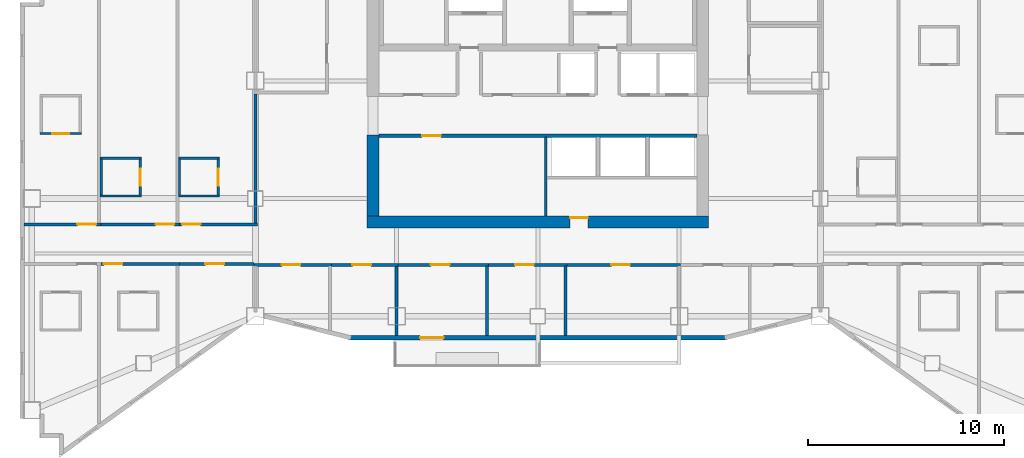
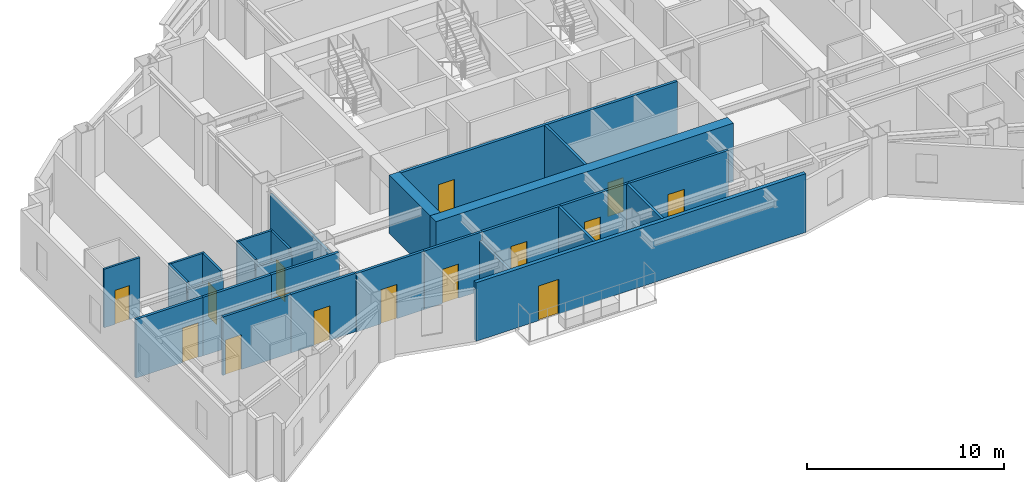
# One storey, part 5 of 12: 28 walls, 16 doors, 16 openings.
"""IFC4 building model written with IfcOpenShell, lengths in metres."""

from ifc_helpers import new_model, si_unit, direction, frame, frame_2d, origin, place, context, subcontext, project, spatial, rectangle, extrude, material, layer, layer_set, type_object, element, fill, save


model = new_model("IFC4")

# Units and contexts
model_context = context("Model", 3, precision=1e-05, world=origin(), true_north=direction((0.0, 1.0)))
body_context = subcontext(model_context, "Body", "Model", "MODEL_VIEW")
ifc_project = project(units=[si_unit("LENGTHUNIT", "METRE"), si_unit("AREAUNIT", "SQUARE_METRE"), si_unit("VOLUMEUNIT", "CUBIC_METRE"), si_unit("PLANEANGLEUNIT", "RADIAN"), si_unit("MASSUNIT", "GRAM", prefix="KILO")], contexts=[model_context])

# Site, building, storey
site_placement = place(None, origin())
site = spatial("IfcSite", under=ifc_project, at=site_placement, CompositionType="ELEMENT")
building_placement = place(site_placement, origin())
building = spatial("IfcBuilding", under=site, at=building_placement, Name="Haolan Belvedere Tower", CompositionType="ELEMENT")
storey_placement = place(building_placement, frame((0.0, 0.0, 195.60009765625)))
storey = spatial("IfcBuildingStorey", under=building, at=storey_placement, Name="L49", CompositionType="ELEMENT", Elevation=195.60009765625)

# Wall, opening, door
ifc_material_1 = material(Name="Concrete C60/75", Category="concrete")
ifc_layer_1 = layer(ifc_material_1, 0.60009765625, Name="Concrete C60/75")
ifc_layer_set_1 = layer_set([ifc_layer_1], Name="Concrete C60/75")
wall_type_1 = type_object("IfcWallType", Name="WL-CORE-600", PredefinedType="SHEAR", material=ifc_layer_set_1)
wall_1_placement = place(storey_placement, frame((29.699951171875, 26.39990234375, 0.0), z_axis=(0.0, 0.0, 1.0), x_axis=(1.0, 0.0, 0.0)))
wall_1 = element("IfcWall", 1, at=wall_1_placement, inside=storey, type_object=wall_type_1, Name="L49 central core south shear wall", PredefinedType="SHEAR", context=body_context, shape_type="SweptSolid", body=[
    extrude(rectangle(XDim=17.400146484375, YDim=0.60009765625, at=frame_2d((8.7001953125, 0.0))), origin(), (0.0, 0.0, 1.0), 3.619873046875),
])
opening_1_placement = place(wall_1_placement, frame((11.25, 0.0, 0.0), z_axis=(0.0, 0.0, 1.0), x_axis=(-1.0, 0.0, 0.0)))
opening_1 = element("IfcOpeningElement", 2, at=opening_1_placement, cuts=wall_1, Name="Opening FD-05", PredefinedType="OPENING", context=body_context, shape_type="SweptSolid", body=[
    extrude(rectangle(XDim=0.89990234375, YDim=2.10009765625, at=frame_2d((0.449951171875, 1.050048828125))), frame((0.0, 0.31005859375, 0.0), z_axis=(0.0, -1.0, 0.0), x_axis=(1.0, 0.0, 0.0)), (0.0, 0.0, 1.0), 0.6201171875),
])
ifc_material_2 = material(Name="Galvanised fire-rated steel", Category="steel")
door_type_1 = type_object("IfcDoorType", Name="DR-FD60-900", OperationType="NOTDEFINED", PredefinedType="DOOR", material=ifc_material_2)
door_1_placement = place(opening_1_placement, origin())
door_1 = element("IfcDoor", 3, at=door_1_placement, inside=storey, type_object=door_type_1, Name="L49 door CD-L49-SCVE", OperationType="SINGLE_SWING_RIGHT", OverallHeight=2.10009765625, OverallWidth=0.89990234375, PredefinedType="DOOR", context=body_context, shape_type="SweptSolid", body=[
    extrude(rectangle(XDim=0.89990234375, YDim=2.10009765625, at=frame_2d((0.449951171875, 1.050048828125))), frame((0.0, -0.19482421875, 0.0), z_axis=(0.0, -1.0, 0.0), x_axis=(1.0, 0.0, 0.0)), (0.0, 0.0, 1.0), 0.050048828125),
])
fill(opening_1, door_1)

# Wall
wall_2_placement = place(storey_placement, frame((30.0, 26.699951171875, 0.0), z_axis=(0.0, 0.0, 1.0), x_axis=(0.0, 1.0, 0.0)))
element("IfcWall", 4, at=wall_2_placement, inside=storey, type_object=wall_type_1, Name="L49 central core shear wall WS", PredefinedType="SHEAR", context=body_context, shape_type="SweptSolid", body=[
    extrude(rectangle(XDim=4.150146484375, YDim=0.60009765625, at=frame_2d((2.0751953125, 0.0))), origin(), (0.0, 0.0, 1.0), 3.619873046875),
])

# Wall, opening, door
ifc_material_3 = material(Name="Precast concrete C40/50", Category="concrete")
ifc_layer_2 = layer(ifc_material_3, 0.219970703125, Name="Precast concrete C40/50")
ifc_layer_set_2 = layer_set([ifc_layer_2], Name="Precast concrete C40/50")
wall_type_2 = type_object("IfcWallType", Name="WL-EXT-220", PredefinedType="SOLIDWALL", material=ifc_layer_set_2)
wall_3_placement = place(storey_placement, frame((28.758544921875, 20.510009765625, 0.0), z_axis=(0.0, 0.0, 1.0), x_axis=(1.0, 0.0, 0.0)))
wall_3 = element("IfcWall", 5, at=wall_3_placement, inside=storey, type_object=wall_type_2, Name="L49 pale-metal exterior spandrel wall 1.1", PredefinedType="SOLIDWALL", context=body_context, shape_type="SweptSolid", body=[
    extrude(rectangle(XDim=19.282958984375, YDim=0.219970703125, at=frame_2d((9.6416015625, 0.0))), origin(), (0.0, 0.0, 1.0), 3.619873046875),
])
opening_2_placement = place(wall_3_placement, frame((4.841552734375, 0.0, 0.0), z_axis=(0.0, 0.0, 1.0), x_axis=(-1.0, 0.0, 0.0)))
opening_2 = element("IfcOpeningElement", 6, at=opening_2_placement, cuts=wall_3, Name="Opening BD-01", PredefinedType="OPENING", context=body_context, shape_type="SweptSolid", body=[
    extrude(rectangle(XDim=1.199951171875, YDim=2.14990234375, at=frame_2d((0.60009765625, 1.074951171875))), frame((0.0, 0.119873046875, 0.0), z_axis=(0.0, -1.0, 0.0), x_axis=(1.0, 0.0, 0.0)), (0.0, 0.0, 1.0), 0.239990234375),
])
ifc_material_4 = material(Name="Thermally broken pale-metal aluminium and Low-E glass", Category="aluminium")
door_type_2 = type_object("IfcDoorType", Name="DR-BAL-1200", OperationType="NOTDEFINED", PredefinedType="DOOR", material=ifc_material_4)
door_2_placement = place(opening_2_placement, origin())
door_2 = element("IfcDoor", 7, at=door_2_placement, inside=storey, type_object=door_type_2, Name="L49 tree-balcony access door 1", OperationType="SINGLE_SWING_LEFT", OverallHeight=2.14990234375, OverallWidth=1.199951171875, PredefinedType="DOOR", context=body_context, shape_type="SweptSolid", body=[
    extrude(rectangle(XDim=1.199951171875, YDim=2.14990234375, at=frame_2d((0.60009765625, 1.074951171875))), frame((0.0, 0.02490234375, 0.0), z_axis=(0.0, -1.0, 0.0), x_axis=(1.0, 0.0, 0.0)), (0.0, 0.0, 1.0), 0.050048828125),
])
fill(opening_2, door_2)

ifc_material_5 = material(Name="Double gypsum acoustic stud partition", Category="masonry")
ifc_layer_3 = layer(ifc_material_5, 0.14990234375, Name="Double gypsum acoustic stud partition")
ifc_layer_set_3 = layer_set([ifc_layer_3], Name="Double gypsum acoustic stud partition")
wall_type_3 = type_object("IfcWallType", Name="WL-PART-150", PredefinedType="PARTITIONING", material=ifc_layer_set_3)
wall_4_placement = place(storey_placement, frame((23.919921875, 24.219970703125, 0.0), z_axis=(0.0, 0.0, 1.0), x_axis=(1.0, 0.0, 0.0)))
wall_4 = element("IfcWall", 8, at=wall_4_placement, inside=storey, type_object=wall_type_3, Name="L49 interior partition IW-L49-KS1-N", PredefinedType="PARTITIONING", context=body_context, shape_type="SweptSolid", body=[
    extrude(rectangle(XDim=3.9599609375, YDim=0.14990234375, at=frame_2d((1.97998046875, 0.0))), origin(), (0.0, 0.0, 1.0), 3.619873046875),
])
opening_3_placement = place(wall_4_placement, frame((2.375, 0.0, 0.0), z_axis=(0.0, 0.0, 1.0), x_axis=(-1.0, 0.0, 0.0)))
opening_3 = element("IfcOpeningElement", 9, at=opening_3_placement, cuts=wall_4, Name="Opening ID-03", PredefinedType="OPENING", context=body_context, shape_type="SweptSolid", body=[
    extrude(rectangle(XDim=0.949951171875, YDim=2.1201171875, at=frame_2d((0.47509765625, 1.06005859375))), frame((0.0, 0.0849609375, 0.0), z_axis=(0.0, -1.0, 0.0), x_axis=(1.0, 0.0, 0.0)), (0.0, 0.0, 1.0), 0.169921875),
])
ifc_material_6 = material(Name="Painted solid-core timber", Category="wood")
door_type_3 = type_object("IfcDoorType", Name="DR-INT-950", OperationType="NOTDEFINED", PredefinedType="DOOR", material=ifc_material_6)
door_3_placement = place(opening_3_placement, origin())
door_3 = element("IfcDoor", 10, at=door_3_placement, inside=storey, type_object=door_type_3, Name="L49 door ID-L49-KS1", OperationType="SINGLE_SWING_LEFT", OverallHeight=2.1201171875, OverallWidth=0.949951171875, PredefinedType="DOOR", context=body_context, shape_type="SweptSolid", body=[
    extrude(rectangle(XDim=0.949951171875, YDim=2.1201171875, at=frame_2d((0.47509765625, 1.06005859375))), frame((0.0, 0.02490234375, 0.0), z_axis=(0.0, -1.0, 0.0), x_axis=(1.0, 0.0, 0.0)), (0.0, 0.0, 1.0), 0.050048828125),
])
fill(opening_3, door_3)

wall_5_placement = place(storey_placement, frame((27.882080078125, 24.219970703125, 0.0), z_axis=(0.0, 0.0, 1.0), x_axis=(1.0, 0.0, 0.0)))
wall_5 = element("IfcWall", 11, at=wall_5_placement, inside=storey, type_object=wall_type_3, Name="L49 interior partition IW-L49-KS2-N", PredefinedType="PARTITIONING", context=body_context, shape_type="SweptSolid", body=[
    extrude(rectangle(XDim=3.39794921875, YDim=0.14990234375, at=frame_2d((1.698974609375, 0.0))), origin(), (0.0, 0.0, 1.0), 3.619873046875),
])
opening_4_placement = place(wall_5_placement, frame((2.012939453125, 0.0, 0.0), z_axis=(0.0, 0.0, 1.0), x_axis=(-1.0, 0.0, 0.0)))
opening_4 = element("IfcOpeningElement", 12, at=opening_4_placement, cuts=wall_5, Name="Opening ID-03", PredefinedType="OPENING", context=body_context, shape_type="SweptSolid", body=[
    extrude(rectangle(XDim=0.949951171875, YDim=2.1201171875, at=frame_2d((0.47509765625, 1.06005859375))), frame((0.0, 0.0849609375, 0.0), z_axis=(0.0, -1.0, 0.0), x_axis=(1.0, 0.0, 0.0)), (0.0, 0.0, 1.0), 0.169921875),
])
door_4_placement = place(opening_4_placement, origin())
door_4 = element("IfcDoor", 13, at=door_4_placement, inside=storey, type_object=door_type_3, Name="L49 door ID-L49-KS2", OperationType="SINGLE_SWING_RIGHT", OverallHeight=2.1201171875, OverallWidth=0.949951171875, PredefinedType="DOOR", context=body_context, shape_type="SweptSolid", body=[
    extrude(rectangle(XDim=0.949951171875, YDim=2.1201171875, at=frame_2d((0.47509765625, 1.06005859375))), frame((0.0, 0.02490234375, 0.0), z_axis=(0.0, -1.0, 0.0), x_axis=(1.0, 0.0, 0.0)), (0.0, 0.0, 1.0), 0.050048828125),
])
fill(opening_4, door_4)

# Wall
wall_6_placement = place(storey_placement, frame((31.199951171875, 20.612060546875, 0.0), z_axis=(0.0, 0.0, 1.0), x_axis=(0.0, 1.0, 0.0)))
element("IfcWall", 14, at=wall_6_placement, inside=storey, type_object=wall_type_3, Name="L49 interior partition IW-L49-KS2-E", PredefinedType="PARTITIONING", context=body_context, shape_type="SweptSolid", body=[
    extrude(rectangle(XDim=3.5478515625, YDim=0.14990234375, at=frame_2d((1.77392578125, 0.0))), origin(), (0.0, 0.0, 1.0), 3.10498046875),
])

# Wall, opening, door
wall_7_placement = place(storey_placement, frame((31.281982421875, 24.219970703125, 0.0), z_axis=(0.0, 0.0, 1.0), x_axis=(1.0, 0.0, 0.0)))
wall_7 = element("IfcWall", 15, at=wall_7_placement, inside=storey, type_object=wall_type_3, Name="L49 interior partition IW-L49-KS3-N", PredefinedType="PARTITIONING", context=body_context, shape_type="SweptSolid", body=[
    extrude(rectangle(XDim=4.597900390625, YDim=0.14990234375, at=frame_2d((2.298828125, 0.0))), origin(), (0.0, 0.0, 1.0), 3.619873046875),
])
opening_5_placement = place(wall_7_placement, frame((2.613037109375, 0.0, 0.0), z_axis=(0.0, 0.0, 1.0), x_axis=(-1.0, 0.0, 0.0)))
opening_5 = element("IfcOpeningElement", 16, at=opening_5_placement, cuts=wall_7, Name="Opening ID-03", PredefinedType="OPENING", context=body_context, shape_type="SweptSolid", body=[
    extrude(rectangle(XDim=0.949951171875, YDim=2.1201171875, at=frame_2d((0.47509765625, 1.06005859375))), frame((0.0, 0.0849609375, 0.0), z_axis=(0.0, -1.0, 0.0), x_axis=(1.0, 0.0, 0.0)), (0.0, 0.0, 1.0), 0.169921875),
])
door_5_placement = place(opening_5_placement, origin())
door_5 = element("IfcDoor", 17, at=door_5_placement, inside=storey, type_object=door_type_3, Name="L49 door ID-L49-KS3", OperationType="SINGLE_SWING_LEFT", OverallHeight=2.1201171875, OverallWidth=0.949951171875, PredefinedType="DOOR", context=body_context, shape_type="SweptSolid", body=[
    extrude(rectangle(XDim=0.949951171875, YDim=2.1201171875, at=frame_2d((0.47509765625, 1.06005859375))), frame((0.0, 0.02490234375, 0.0), z_axis=(0.0, -1.0, 0.0), x_axis=(1.0, 0.0, 0.0)), (0.0, 0.0, 1.0), 0.050048828125),
])
fill(opening_5, door_5)

# Wall
wall_8_placement = place(storey_placement, frame((35.800048828125, 20.612060546875, 0.0), z_axis=(0.0, 0.0, 1.0), x_axis=(0.0, 1.0, 0.0)))
element("IfcWall", 18, at=wall_8_placement, inside=storey, type_object=wall_type_3, Name="L49 interior partition IW-L49-KS3-E", PredefinedType="PARTITIONING", context=body_context, shape_type="SweptSolid", body=[
    extrude(rectangle(XDim=3.5478515625, YDim=0.14990234375, at=frame_2d((1.77392578125, 0.0))), origin(), (0.0, 0.0, 1.0), 3.619873046875),
])

# Wall, opening, door
wall_9_placement = place(storey_placement, frame((35.882080078125, 24.219970703125, 0.0), z_axis=(0.0, 0.0, 1.0), x_axis=(1.0, 0.0, 0.0)))
wall_9 = element("IfcWall", 19, at=wall_9_placement, inside=storey, type_object=wall_type_3, Name="L49 interior partition IW-L49-KS4-N", PredefinedType="PARTITIONING", context=body_context, shape_type="SweptSolid", body=[
    extrude(rectangle(XDim=3.997802734375, YDim=0.14990234375, at=frame_2d((1.9990234375, 0.0))), origin(), (0.0, 0.0, 1.0), 3.619873046875),
])
opening_6_placement = place(wall_9_placement, frame((2.31298828125, 0.0, 0.0), z_axis=(0.0, 0.0, 1.0), x_axis=(-1.0, 0.0, 0.0)))
opening_6 = element("IfcOpeningElement", 20, at=opening_6_placement, cuts=wall_9, Name="Opening ID-03", PredefinedType="OPENING", context=body_context, shape_type="SweptSolid", body=[
    extrude(rectangle(XDim=0.949951171875, YDim=2.1201171875, at=frame_2d((0.47509765625, 1.06005859375))), frame((0.0, 0.0849609375, 0.0), z_axis=(0.0, -1.0, 0.0), x_axis=(1.0, 0.0, 0.0)), (0.0, 0.0, 1.0), 0.169921875),
])
door_6_placement = place(opening_6_placement, origin())
door_6 = element("IfcDoor", 21, at=door_6_placement, inside=storey, type_object=door_type_3, Name="L49 door ID-L49-KS4", OperationType="SINGLE_SWING_RIGHT", OverallHeight=2.1201171875, OverallWidth=0.949951171875, PredefinedType="DOOR", context=body_context, shape_type="SweptSolid", body=[
    extrude(rectangle(XDim=0.949951171875, YDim=2.1201171875, at=frame_2d((0.47509765625, 1.06005859375))), frame((0.0, 0.02490234375, 0.0), z_axis=(0.0, -1.0, 0.0), x_axis=(1.0, 0.0, 0.0)), (0.0, 0.0, 1.0), 0.050048828125),
])
fill(opening_6, door_6)

# Wall
wall_10_placement = place(storey_placement, frame((39.800048828125, 20.612060546875, 0.0), z_axis=(0.0, 0.0, 1.0), x_axis=(0.0, 1.0, 0.0)))
element("IfcWall", 22, at=wall_10_placement, inside=storey, type_object=wall_type_3, Name="L49 interior partition IW-L49-KS4-E", PredefinedType="PARTITIONING", context=body_context, shape_type="SweptSolid", body=[
    extrude(rectangle(XDim=3.5478515625, YDim=0.14990234375, at=frame_2d((1.77392578125, 0.0))), origin(), (0.0, 0.0, 1.0), 3.619873046875),
])

# Wall, opening, door
wall_11_placement = place(storey_placement, frame((39.882080078125, 24.219970703125, 0.0), z_axis=(0.0, 0.0, 1.0), x_axis=(1.0, 0.0, 0.0)))
wall_11 = element("IfcWall", 23, at=wall_11_placement, inside=storey, type_object=wall_type_3, Name="L49 interior partition IW-L49-KS5-N", PredefinedType="PARTITIONING", context=body_context, shape_type="SweptSolid", body=[
    extrude(rectangle(XDim=5.7978515625, YDim=0.14990234375, at=frame_2d((2.89892578125, 0.0))), origin(), (0.0, 0.0, 1.0), 3.619873046875),
])
opening_7_placement = place(wall_11_placement, frame((3.212890625, 0.0, 0.0), z_axis=(0.0, 0.0, 1.0), x_axis=(-1.0, 0.0, 0.0)))
opening_7 = element("IfcOpeningElement", 24, at=opening_7_placement, cuts=wall_11, Name="Opening ID-03", PredefinedType="OPENING", context=body_context, shape_type="SweptSolid", body=[
    extrude(rectangle(XDim=0.949951171875, YDim=2.1201171875, at=frame_2d((0.47509765625, 1.06005859375))), frame((0.0, 0.0849609375, 0.0), z_axis=(0.0, -1.0, 0.0), x_axis=(1.0, 0.0, 0.0)), (0.0, 0.0, 1.0), 0.169921875),
])
door_7_placement = place(opening_7_placement, origin())
door_7 = element("IfcDoor", 25, at=door_7_placement, inside=storey, type_object=door_type_3, Name="L49 door ID-L49-KS5", OperationType="SINGLE_SWING_LEFT", OverallHeight=2.1201171875, OverallWidth=0.949951171875, PredefinedType="DOOR", context=body_context, shape_type="SweptSolid", body=[
    extrude(rectangle(XDim=0.949951171875, YDim=2.1201171875, at=frame_2d((0.47509765625, 1.06005859375))), frame((0.0, 0.02490234375, 0.0), z_axis=(0.0, -1.0, 0.0), x_axis=(1.0, 0.0, 0.0)), (0.0, 0.0, 1.0), 0.050048828125),
])
fill(opening_7, door_7)

wall_12_placement = place(storey_placement, frame((12.2119140625, 26.280029296875, 0.0), z_axis=(0.0, 0.0, 1.0), x_axis=(1.0, 0.0, 0.0)))
wall_12 = element("IfcWall", 26, at=wall_12_placement, inside=storey, type_object=wall_type_3, Name="L49 interior partition IW-L49-T2N1-S", PredefinedType="PARTITIONING", context=body_context, shape_type="SweptSolid", body=[
    extrude(rectangle(XDim=3.91796875, YDim=0.14990234375, at=frame_2d((1.958984375, 0.0))), origin(), (0.0, 0.0, 1.0), 3.619873046875),
])
opening_8_placement = place(wall_12_placement, frame((2.71337890625, 0.0, 0.0)))
opening_8 = element("IfcOpeningElement", 27, at=opening_8_placement, cuts=wall_12, Name="Opening ID-02", PredefinedType="OPENING", context=body_context, shape_type="SweptSolid", body=[
    extrude(rectangle(XDim=0.949951171875, YDim=2.14990234375, at=frame_2d((0.47509765625, 1.074951171875))), frame((0.0, 0.0849609375, 0.0), z_axis=(0.0, -1.0, 0.0), x_axis=(1.0, 0.0, 0.0)), (0.0, 0.0, 1.0), 0.169921875),
])
ifc_material_7 = material(Name="Acoustic oak veneer fire-rated timber", Category="wood")
door_type_4 = type_object("IfcDoorType", Name="DR-GUEST-950", OperationType="NOTDEFINED", PredefinedType="DOOR", material=ifc_material_7)
door_8_placement = place(opening_8_placement, origin())
door_8 = element("IfcDoor", 28, at=door_8_placement, inside=storey, type_object=door_type_4, Name="L49 door ID-L49-T2N1-ENT", OperationType="SINGLE_SWING_RIGHT", OverallHeight=2.14990234375, OverallWidth=0.949951171875, PredefinedType="DOOR", context=body_context, shape_type="SweptSolid", body=[
    extrude(rectangle(XDim=0.949951171875, YDim=2.14990234375, at=frame_2d((0.47509765625, 1.074951171875))), frame((0.0, 0.02490234375, 0.0), z_axis=(0.0, -1.0, 0.0), x_axis=(1.0, 0.0, 0.0)), (0.0, 0.0, 1.0), 0.050048828125),
])
fill(opening_8, door_8)

wall_13_placement = place(storey_placement, frame((16.132080078125, 26.280029296875, 0.0), z_axis=(0.0, 0.0, 1.0), x_axis=(1.0, 0.0, 0.0)))
wall_13 = element("IfcWall", 29, at=wall_13_placement, inside=storey, type_object=wall_type_3, Name="L49 interior partition IW-L49-T2N2-S", PredefinedType="PARTITIONING", context=body_context, shape_type="SweptSolid", body=[
    extrude(rectangle(XDim=3.988037109375, YDim=0.14990234375, at=frame_2d((1.994140625, 0.0))), origin(), (0.0, 0.0, 1.0), 3.619873046875),
])
opening_9_placement = place(wall_13_placement, frame((2.781005859375, 0.0, 0.0)))
opening_9 = element("IfcOpeningElement", 30, at=opening_9_placement, cuts=wall_13, Name="Opening ID-01", PredefinedType="OPENING", context=body_context, shape_type="SweptSolid", body=[
    extrude(rectangle(XDim=0.949951171875, YDim=2.179931640625, at=frame_2d((0.47509765625, 1.08984375))), frame((0.0, 0.0849609375, 0.0), z_axis=(0.0, -1.0, 0.0), x_axis=(1.0, 0.0, 0.0)), (0.0, 0.0, 1.0), 0.169921875),
])
ifc_material_8 = material(Name="Acoustic walnut veneer fire-rated timber", Category="wood")
door_type_5 = type_object("IfcDoorType", Name="DR-SUITE-950", OperationType="NOTDEFINED", PredefinedType="DOOR", material=ifc_material_8)
door_9_placement = place(opening_9_placement, origin())
door_9 = element("IfcDoor", 31, at=door_9_placement, inside=storey, type_object=door_type_5, Name="L49 door ID-L49-T2N2-ENT", OperationType="SINGLE_SWING_LEFT", OverallHeight=2.179931640625, OverallWidth=0.949951171875, PredefinedType="DOOR", context=body_context, shape_type="SweptSolid", body=[
    extrude(rectangle(XDim=0.949951171875, YDim=2.179931640625, at=frame_2d((0.47509765625, 1.08984375))), frame((0.0, 0.02490234375, 0.0), z_axis=(0.0, -1.0, 0.0), x_axis=(1.0, 0.0, 0.0)), (0.0, 0.0, 1.0), 0.050048828125),
])
fill(opening_9, door_9)

wall_14_placement = place(storey_placement, frame((20.1220703125, 26.280029296875, 0.0), z_axis=(0.0, 0.0, 1.0), x_axis=(1.0, 0.0, 0.0)))
wall_14 = element("IfcWall", 32, at=wall_14_placement, inside=storey, type_object=wall_type_3, Name="L49 interior partition IW-L49-T2N3-S", PredefinedType="PARTITIONING", context=body_context, shape_type="SweptSolid", body=[
    extrude(rectangle(XDim=3.97802734375, YDim=0.14990234375, at=frame_2d((1.989013671875, 0.0))), origin(), (0.0, 0.0, 1.0), 3.619873046875),
])
opening_10_placement = place(wall_14_placement, frame((0.139892578125, 0.0, 0.0)))
opening_10 = element("IfcOpeningElement", 33, at=opening_10_placement, cuts=wall_14, Name="Opening ID-01", PredefinedType="OPENING", context=body_context, shape_type="SweptSolid", body=[
    extrude(rectangle(XDim=0.949951171875, YDim=2.179931640625, at=frame_2d((0.47509765625, 1.08984375))), frame((0.0, 0.0849609375, 0.0), z_axis=(0.0, -1.0, 0.0), x_axis=(1.0, 0.0, 0.0)), (0.0, 0.0, 1.0), 0.169921875),
])
door_10_placement = place(opening_10_placement, origin())
door_10 = element("IfcDoor", 34, at=door_10_placement, inside=storey, type_object=door_type_5, Name="L49 door ID-L49-T2N3-ENT", OperationType="SINGLE_SWING_RIGHT", OverallHeight=2.179931640625, OverallWidth=0.949951171875, PredefinedType="DOOR", context=body_context, shape_type="SweptSolid", body=[
    extrude(rectangle(XDim=0.949951171875, YDim=2.179931640625, at=frame_2d((0.47509765625, 1.08984375))), frame((0.0, 0.02490234375, 0.0), z_axis=(0.0, -1.0, 0.0), x_axis=(1.0, 0.0, 0.0)), (0.0, 0.0, 1.0), 0.050048828125),
])
fill(opening_10, door_10)

# Wall
wall_15_placement = place(storey_placement, frame((24.0, 26.340087890625, 0.0), z_axis=(0.0, 0.0, 1.0), x_axis=(0.0, 1.0, 0.0)))
element("IfcWall", 35, at=wall_15_placement, inside=storey, type_object=wall_type_3, Name="L49 interior partition IW-L49-T2N3-E", PredefinedType="PARTITIONING", context=body_context, shape_type="SweptSolid", body=[
    extrude(rectangle(XDim=6.599853515625, YDim=0.14990234375, at=frame_2d((3.2998046875, 0.0))), origin(), (0.0, 0.0, 1.0), 3.21484375),
])

# Wall, opening, door
wall_16_placement = place(storey_placement, frame((16.132080078125, 24.27001953125, 0.0), z_axis=(0.0, 0.0, 1.0), x_axis=(1.0, 0.0, 0.0)))
wall_16 = element("IfcWall", 36, at=wall_16_placement, inside=storey, type_object=wall_type_3, Name="L49 interior partition IW-L49-T2S2-N", PredefinedType="PARTITIONING", context=body_context, shape_type="SweptSolid", body=[
    extrude(rectangle(XDim=3.988037109375, YDim=0.14990234375, at=frame_2d((1.994140625, 0.0))), origin(), (0.0, 0.0, 1.0), 3.619873046875),
])
opening_11_placement = place(wall_16_placement, frame((1.08984375, 0.0, 0.0), z_axis=(0.0, 0.0, 1.0), x_axis=(-1.0, 0.0, 0.0)))
opening_11 = element("IfcOpeningElement", 37, at=opening_11_placement, cuts=wall_16, Name="Opening ID-02", PredefinedType="OPENING", context=body_context, shape_type="SweptSolid", body=[
    extrude(rectangle(XDim=0.949951171875, YDim=2.14990234375, at=frame_2d((0.47509765625, 1.074951171875))), frame((0.0, 0.0849609375, 0.0), z_axis=(0.0, -1.0, 0.0), x_axis=(1.0, 0.0, 0.0)), (0.0, 0.0, 1.0), 0.169921875),
])
door_11_placement = place(opening_11_placement, origin())
door_11 = element("IfcDoor", 38, at=door_11_placement, inside=storey, type_object=door_type_4, Name="L49 door ID-L49-T2S2-ENT", OperationType="SINGLE_SWING_RIGHT", OverallHeight=2.14990234375, OverallWidth=0.949951171875, PredefinedType="DOOR", context=body_context, shape_type="SweptSolid", body=[
    extrude(rectangle(XDim=0.949951171875, YDim=2.14990234375, at=frame_2d((0.47509765625, 1.074951171875))), frame((0.0, 0.02490234375, 0.0), z_axis=(0.0, -1.0, 0.0), x_axis=(1.0, 0.0, 0.0)), (0.0, 0.0, 1.0), 0.050048828125),
])
fill(opening_11, door_11)

wall_17_placement = place(storey_placement, frame((20.1220703125, 24.27001953125, 0.0), z_axis=(0.0, 0.0, 1.0), x_axis=(1.0, 0.0, 0.0)))
wall_17 = element("IfcWall", 39, at=wall_17_placement, inside=storey, type_object=wall_type_3, Name="L49 interior partition IW-L49-T2S3-N", PredefinedType="PARTITIONING", context=body_context, shape_type="SweptSolid", body=[
    extrude(rectangle(XDim=3.7958984375, YDim=0.14990234375, at=frame_2d((1.89794921875, 0.0))), origin(), (0.0, 0.0, 1.0), 3.619873046875),
])
opening_12_placement = place(wall_17_placement, frame((2.282958984375, 0.0, 0.0), z_axis=(0.0, 0.0, 1.0), x_axis=(-1.0, 0.0, 0.0)))
opening_12 = element("IfcOpeningElement", 40, at=opening_12_placement, cuts=wall_17, Name="Opening ID-03", PredefinedType="OPENING", context=body_context, shape_type="SweptSolid", body=[
    extrude(rectangle(XDim=0.949951171875, YDim=2.1201171875, at=frame_2d((0.47509765625, 1.06005859375))), frame((0.0, 0.0849609375, 0.0), z_axis=(0.0, -1.0, 0.0), x_axis=(1.0, 0.0, 0.0)), (0.0, 0.0, 1.0), 0.169921875),
])
door_12_placement = place(opening_12_placement, origin())
door_12 = element("IfcDoor", 41, at=door_12_placement, inside=storey, type_object=door_type_3, Name="L49 door ID-L49-T2S3", OperationType="SINGLE_SWING_LEFT", OverallHeight=2.1201171875, OverallWidth=0.949951171875, PredefinedType="DOOR", context=body_context, shape_type="SweptSolid", body=[
    extrude(rectangle(XDim=0.949951171875, YDim=2.1201171875, at=frame_2d((0.47509765625, 1.06005859375))), frame((0.0, 0.02490234375, 0.0), z_axis=(0.0, -1.0, 0.0), x_axis=(1.0, 0.0, 0.0)), (0.0, 0.0, 1.0), 0.050048828125),
])
fill(opening_12, door_12)

ifc_material_9 = material(Name="Gypsum fire shaftwall assembly", Category="masonry")
ifc_layer_4 = layer(ifc_material_9, 0.1650390625, Name="Gypsum fire shaftwall assembly")
ifc_layer_set_4 = layer_set([ifc_layer_4], Name="Gypsum fire shaftwall assembly")
wall_type_4 = type_object("IfcWallType", Name="WL-SHAFT-160", PredefinedType="SOLIDWALL", material=ifc_layer_set_4)
wall_18_placement = place(storey_placement, frame((30.300048828125, 30.800048828125, 0.0), z_axis=(0.0, 0.0, 1.0), x_axis=(1.0, 0.0, 0.0)))
wall_18 = element("IfcWall", 42, at=wall_18_placement, inside=storey, type_object=wall_type_4, Name="L49 interior partition IW-L49-ROW-PS", PredefinedType="SOLIDWALL", context=body_context, shape_type="SweptSolid", body=[
    extrude(rectangle(XDim=16.199951171875, YDim=0.159912109375, at=frame_2d((8.10009765625, 0.0))), origin(), (0.0, 0.0, 1.0), 3.619873046875),
])
opening_13_placement = place(wall_18_placement, frame((2.199951171875, 0.0, 0.0)))
opening_13 = element("IfcOpeningElement", 43, at=opening_13_placement, cuts=wall_18, Name="Opening ID-03", PredefinedType="OPENING", context=body_context, shape_type="SweptSolid", body=[
    extrude(rectangle(XDim=0.949951171875, YDim=2.1201171875, at=frame_2d((0.47509765625, 1.06005859375))), frame((0.0, 0.08984375, 0.0), z_axis=(0.0, -1.0, 0.0), x_axis=(1.0, 0.0, 0.0)), (0.0, 0.0, 1.0), 0.179931640625),
])
door_13_placement = place(opening_13_placement, origin())
door_13 = element("IfcDoor", 44, at=door_13_placement, inside=storey, type_object=door_type_3, Name="L49 door ID-L49-CD-RPMA", OperationType="SINGLE_SWING_LEFT", OverallHeight=2.1201171875, OverallWidth=0.949951171875, PredefinedType="DOOR", context=body_context, shape_type="SweptSolid", body=[
    extrude(rectangle(XDim=0.949951171875, YDim=2.1201171875, at=frame_2d((0.47509765625, 1.06005859375))), frame((0.0, 0.02490234375, 0.0), z_axis=(0.0, -1.0, 0.0), x_axis=(1.0, 0.0, 0.0)), (0.0, 0.0, 1.0), 0.050048828125),
])
fill(opening_13, door_13)

# Wall
wall_19_placement = place(storey_placement, frame((38.800048828125, 26.7099609375, 0.0), z_axis=(0.0, 0.0, 1.0), x_axis=(0.0, 1.0, 0.0)))
element("IfcWall", 45, at=wall_19_placement, inside=storey, type_object=wall_type_4, Name="L49 interior partition IW-L49-DIV-PM-OB", PredefinedType="SOLIDWALL", context=body_context, shape_type="SweptSolid", body=[
    extrude(rectangle(XDim=4.025146484375, YDim=0.14990234375, at=frame_2d((2.0126953125, 0.0))), origin(), (0.0, 0.0, 1.0), 3.619873046875),
])

# Wall, opening, door
ifc_material_10 = material(Name="Moisture-resistant gypsum tile partition", Category="masonry")
ifc_layer_5 = layer(ifc_material_10, 0.1201171875, Name="Moisture-resistant gypsum tile partition")
ifc_layer_set_5 = layer_set([ifc_layer_5], Name="Moisture-resistant gypsum tile partition")
wall_type_5 = type_object("IfcWallType", Name="WL-WET-120", PredefinedType="PARTITIONING", material=ifc_layer_set_5)
wall_20_placement = place(storey_placement, frame((13.030029296875, 30.9150390625, 0.0), z_axis=(0.0, 0.0, 1.0), x_axis=(1.0, 0.0, 0.0)))
wall_20 = element("IfcWall", 46, at=wall_20_placement, inside=storey, type_object=wall_type_5, Name="L49 interior partition IW-L49-T2N1-BS", PredefinedType="PARTITIONING", context=body_context, shape_type="SweptSolid", body=[
    extrude(rectangle(XDim=2.099853515625, YDim=0.1201171875, at=frame_2d((1.0498046875, 0.0))), origin(), (0.0, 0.0, 1.0), 3.619873046875),
])
opening_14_placement = place(wall_20_placement, frame((0.625, 0.0, 0.0)))
opening_14 = element("IfcOpeningElement", 47, at=opening_14_placement, cuts=wall_20, Name="Opening ID-05", PredefinedType="OPENING", context=body_context, shape_type="SweptSolid", body=[
    extrude(rectangle(XDim=0.85009765625, YDim=2.10009765625, at=frame_2d((0.425048828125, 1.050048828125))), frame((0.0, 0.070068359375, 0.0), z_axis=(0.0, -1.0, 0.0), x_axis=(1.0, 0.0, 0.0)), (0.0, 0.0, 1.0), 0.14013671875),
])
ifc_material_11 = material(Name="Moisture-resistant lacquered timber", Category="wood")
door_type_6 = type_object("IfcDoorType", Name="DR-BATH-850", OperationType="NOTDEFINED", PredefinedType="DOOR", material=ifc_material_11)
door_14_placement = place(opening_14_placement, origin())
door_14 = element("IfcDoor", 48, at=door_14_placement, inside=storey, type_object=door_type_6, Name="L49 door ID-L49-T2N1-BATH", OperationType="SINGLE_SWING_LEFT", OverallHeight=2.10009765625, OverallWidth=0.85009765625, PredefinedType="DOOR", context=body_context, shape_type="SweptSolid", body=[
    extrude(rectangle(XDim=0.85009765625, YDim=2.10009765625, at=frame_2d((0.425048828125, 1.050048828125))), frame((0.0, 0.02490234375, 0.0), z_axis=(0.0, -1.0, 0.0), x_axis=(1.0, 0.0, 0.0)), (0.0, 0.0, 1.0), 0.050048828125),
])
fill(opening_14, door_14)

# Walls
wall_21_placement = place(storey_placement, frame((16.090087890625, 29.64990234375, 0.0), z_axis=(0.0, 0.0, 1.0), x_axis=(1.0, 0.0, 0.0)))
element("IfcWall", 49, at=wall_21_placement, inside=storey, type_object=wall_type_5, Name="L49 interior partition IW-L49-T2N2-BN", PredefinedType="PARTITIONING", context=body_context, shape_type="SweptSolid", body=[
    extrude(rectangle(XDim=2.09130859375, YDim=0.1201171875, at=frame_2d((1.045654296875, 0.0))), origin(), (0.0, 0.0, 1.0), 3.619873046875),
])
wall_22_placement = place(storey_placement, frame((16.090087890625, 27.72998046875, 0.0), z_axis=(0.0, 0.0, 1.0), x_axis=(1.0, 0.0, 0.0)))
element("IfcWall", 50, at=wall_22_placement, inside=storey, type_object=wall_type_5, Name="L49 interior partition IW-L49-T2N2-BS", PredefinedType="PARTITIONING", context=body_context, shape_type="SweptSolid", body=[
    extrude(rectangle(XDim=2.09130859375, YDim=0.1201171875, at=frame_2d((1.045654296875, 0.0))), origin(), (0.0, 0.0, 1.0), 3.21484375),
])
wall_23_placement = place(storey_placement, frame((16.141357421875, 27.77490234375, 0.0), z_axis=(0.0, 0.0, 1.0), x_axis=(0.0, 1.0, 0.0)))
element("IfcWall", 51, at=wall_23_placement, inside=storey, type_object=wall_type_5, Name="L49 interior partition IW-L49-T2N2-BW", PredefinedType="PARTITIONING", context=body_context, shape_type="SweptSolid", body=[
    extrude(rectangle(XDim=1.830078125, YDim=0.1201171875, at=frame_2d((0.9150390625, 0.0))), origin(), (0.0, 0.0, 1.0), 3.619873046875),
])

# Wall, opening, door
wall_24_placement = place(storey_placement, frame((18.121337890625, 27.77490234375, 0.0), z_axis=(0.0, 0.0, 1.0), x_axis=(0.0, 1.0, 0.0)))
wall_24 = element("IfcWall", 52, at=wall_24_placement, inside=storey, type_object=wall_type_5, Name="L49 interior partition IW-L49-T2N2-BE", PredefinedType="PARTITIONING", context=body_context, shape_type="SweptSolid", body=[
    extrude(rectangle(XDim=1.830078125, YDim=0.1201171875, at=frame_2d((0.9150390625, 0.0))), origin(), (0.0, 0.0, 1.0), 3.619873046875),
])
opening_15_placement = place(wall_24_placement, frame((0.489990234375, 0.0, 0.0)))
opening_15 = element("IfcOpeningElement", 53, at=opening_15_placement, cuts=wall_24, Name="Opening ID-05", PredefinedType="OPENING", context=body_context, shape_type="SweptSolid", body=[
    extrude(rectangle(XDim=0.85009765625, YDim=2.10009765625, at=frame_2d((0.425048828125, 1.050048828125))), frame((0.0, 0.070068359375, 0.0), z_axis=(0.0, -1.0, 0.0), x_axis=(1.0, 0.0, 0.0)), (0.0, 0.0, 1.0), 0.14013671875),
])
door_15_placement = place(opening_15_placement, origin())
door_15 = element("IfcDoor", 54, at=door_15_placement, inside=storey, type_object=door_type_6, Name="L49 door ID-L49-T2N2-BATH", OperationType="SINGLE_SWING_RIGHT", OverallHeight=2.10009765625, OverallWidth=0.85009765625, PredefinedType="DOOR", context=body_context, shape_type="SweptSolid", body=[
    extrude(rectangle(XDim=0.85009765625, YDim=2.10009765625, at=frame_2d((0.425048828125, 1.050048828125))), frame((0.0, 0.02490234375, 0.0), z_axis=(0.0, -1.0, 0.0), x_axis=(1.0, 0.0, 0.0)), (0.0, 0.0, 1.0), 0.050048828125),
])
fill(opening_15, door_15)

# Walls
wall_25_placement = place(storey_placement, frame((20.080078125, 29.64990234375, 0.0), z_axis=(0.0, 0.0, 1.0), x_axis=(1.0, 0.0, 0.0)))
element("IfcWall", 55, at=wall_25_placement, inside=storey, type_object=wall_type_5, Name="L49 interior partition IW-L49-T2N3-BN", PredefinedType="PARTITIONING", context=body_context, shape_type="SweptSolid", body=[
    extrude(rectangle(XDim=2.09423828125, YDim=0.1201171875, at=frame_2d((1.047119140625, 0.0))), origin(), (0.0, 0.0, 1.0), 3.619873046875),
])
wall_26_placement = place(storey_placement, frame((20.080078125, 27.72998046875, 0.0), z_axis=(0.0, 0.0, 1.0), x_axis=(1.0, 0.0, 0.0)))
element("IfcWall", 56, at=wall_26_placement, inside=storey, type_object=wall_type_5, Name="L49 interior partition IW-L49-T2N3-BS", PredefinedType="PARTITIONING", context=body_context, shape_type="SweptSolid", body=[
    extrude(rectangle(XDim=2.09423828125, YDim=0.1201171875, at=frame_2d((1.047119140625, 0.0))), origin(), (0.0, 0.0, 1.0), 3.21484375),
])
wall_27_placement = place(storey_placement, frame((20.13427734375, 27.77490234375, 0.0), z_axis=(0.0, 0.0, 1.0), x_axis=(0.0, 1.0, 0.0)))
element("IfcWall", 57, at=wall_27_placement, inside=storey, type_object=wall_type_5, Name="L49 interior partition IW-L49-T2N3-BW", PredefinedType="PARTITIONING", context=body_context, shape_type="SweptSolid", body=[
    extrude(rectangle(XDim=1.830078125, YDim=0.1201171875, at=frame_2d((0.9150390625, 0.0))), origin(), (0.0, 0.0, 1.0), 3.619873046875),
])

# Wall, opening, door
wall_28_placement = place(storey_placement, frame((22.1142578125, 27.77490234375, 0.0), z_axis=(0.0, 0.0, 1.0), x_axis=(0.0, 1.0, 0.0)))
wall_28 = element("IfcWall", 58, at=wall_28_placement, inside=storey, type_object=wall_type_5, Name="L49 interior partition IW-L49-T2N3-BE", PredefinedType="PARTITIONING", context=body_context, shape_type="SweptSolid", body=[
    extrude(rectangle(XDim=1.830078125, YDim=0.1201171875, at=frame_2d((0.9150390625, 0.0))), origin(), (0.0, 0.0, 1.0), 3.619873046875),
])
opening_16_placement = place(wall_28_placement, frame((0.489990234375, 0.0, 0.0)))
opening_16 = element("IfcOpeningElement", 59, at=opening_16_placement, cuts=wall_28, Name="Opening ID-05", PredefinedType="OPENING", context=body_context, shape_type="SweptSolid", body=[
    extrude(rectangle(XDim=0.85009765625, YDim=2.10009765625, at=frame_2d((0.425048828125, 1.050048828125))), frame((0.0, 0.070068359375, 0.0), z_axis=(0.0, -1.0, 0.0), x_axis=(1.0, 0.0, 0.0)), (0.0, 0.0, 1.0), 0.14013671875),
])
door_16_placement = place(opening_16_placement, origin())
door_16 = element("IfcDoor", 60, at=door_16_placement, inside=storey, type_object=door_type_6, Name="L49 door ID-L49-T2N3-BATH", OperationType="SINGLE_SWING_LEFT", OverallHeight=2.10009765625, OverallWidth=0.85009765625, PredefinedType="DOOR", context=body_context, shape_type="SweptSolid", body=[
    extrude(rectangle(XDim=0.85009765625, YDim=2.10009765625, at=frame_2d((0.425048828125, 1.050048828125))), frame((0.0, 0.02490234375, 0.0), z_axis=(0.0, -1.0, 0.0), x_axis=(1.0, 0.0, 0.0)), (0.0, 0.0, 1.0), 0.050048828125),
])
fill(opening_16, door_16)

save(model, "model.ifc")
